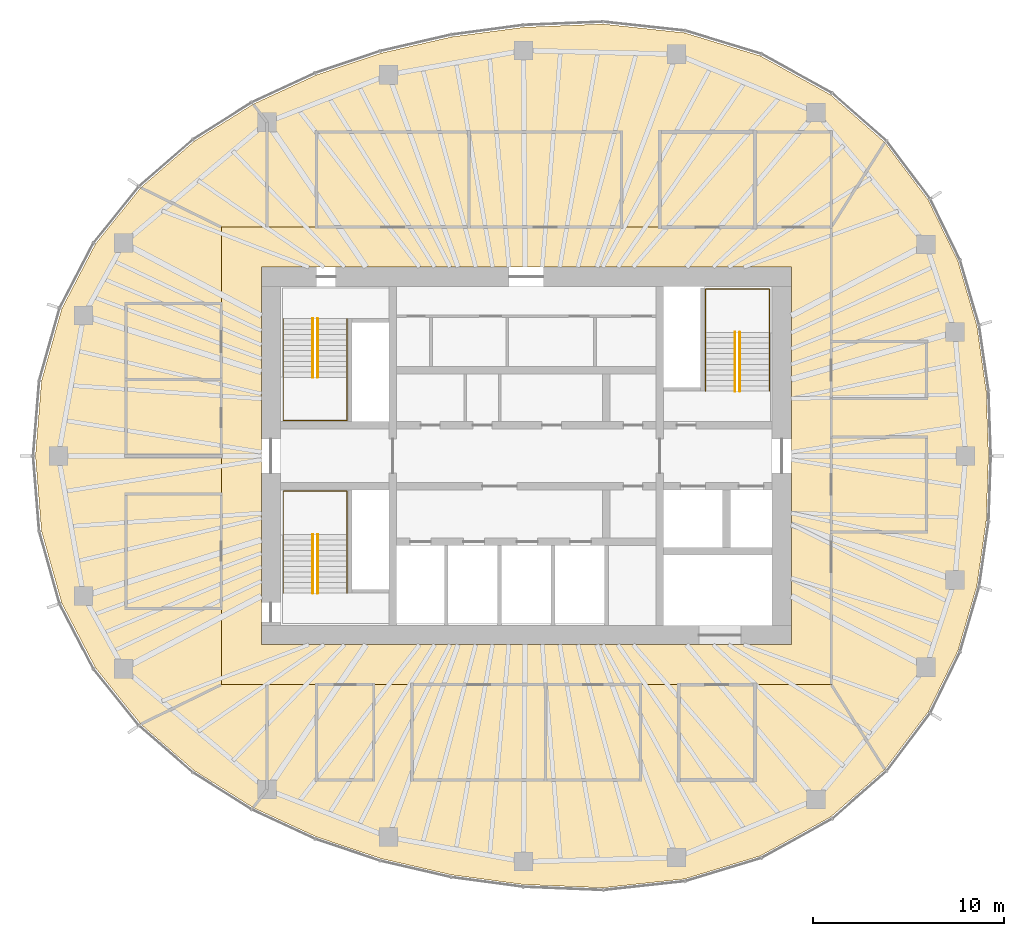
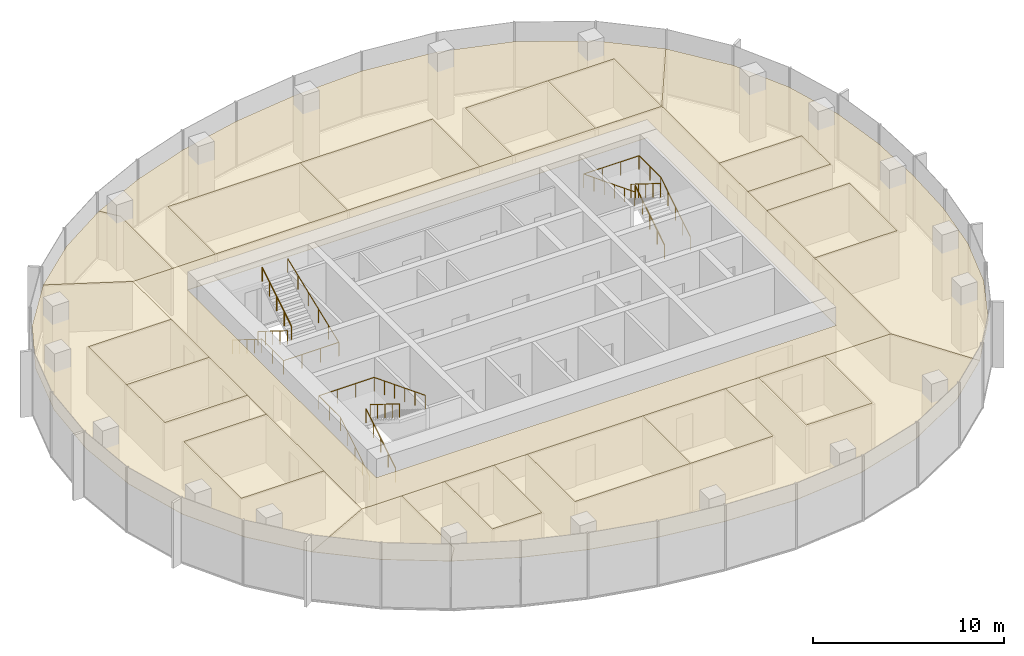
# One storey, part 12 of 12: 20 coverings, 9 railings.
"""IFC4 building model written with IfcOpenShell, lengths in metres."""

from ifc_helpers import new_model, si_unit, direction, frame, origin, origin_2d, place, context, subcontext, project, spatial, polyline, circle, outline, extrude, material, layer, layer_set, type_object, element, save


model = new_model("IFC4")

# Units and contexts
model_context = context("Model", 3, precision=1e-05, world=origin(), true_north=direction((0.0, 1.0)))
body_context = subcontext(model_context, "Body", "Model", "MODEL_VIEW")
ifc_project = project(units=[si_unit("LENGTHUNIT", "METRE"), si_unit("AREAUNIT", "SQUARE_METRE"), si_unit("VOLUMEUNIT", "CUBIC_METRE"), si_unit("PLANEANGLEUNIT", "RADIAN"), si_unit("MASSUNIT", "GRAM", prefix="KILO")], contexts=[model_context])

# Site, building, storey
site_placement = place(None, origin())
site = spatial("IfcSite", under=ifc_project, at=site_placement, CompositionType="ELEMENT")
building_placement = place(site_placement, origin())
building = spatial("IfcBuilding", under=site, at=building_placement, Name="Ghaith Harvest Tower", CompositionType="ELEMENT")
storey_placement = place(building_placement, frame((0.0, 0.0, 304.800048828125)))
storey = spatial("IfcBuildingStorey", under=building, at=storey_placement, Name="L68", CompositionType="ELEMENT", Elevation=304.800048828125)

# Coverings
ifc_material_1 = material(Name="Mineral fibre ceiling tile", Category="gypsum")
ifc_layer = layer(ifc_material_1, 0.02490234375)
ifc_layer_set = layer_set([ifc_layer], Name="CEILING C2")
covering_type = type_object("IfcCoveringType", Name="CEILING C2", PredefinedType="CEILING", material=ifc_layer_set)
covering_1_placement = place(storey_placement, frame((0.0, 0.0, 3.0)))
element("IfcCovering", 1, at=covering_1_placement, inside=storey, type_object=covering_type, Name="Ceiling L68-01", PredefinedType="CEILING", context=body_context, shape_type="SweptSolid", body=[
    extrude(outline(polyline([(-11.0, 12.0), (-3.0, 12.0), (-3.0, 17.0), (-11.0, 17.0), (-11.0, 12.0)])), origin(), (0.0, 0.0, 1.0), 0.02490234375),
])
covering_2_placement = place(storey_placement, frame((0.0, 0.0, 3.0)))
element("IfcCovering", 2, at=covering_2_placement, inside=storey, type_object=covering_type, Name="Ceiling L68-02", PredefinedType="CEILING", context=body_context, shape_type="SweptSolid", body=[
    extrude(outline(polyline([(-3.0, 12.0), (5.0, 12.0), (5.0, 17.0), (-3.0, 17.0), (-3.0, 12.0)])), origin(), (0.0, 0.0, 1.0), 0.02490234375),
])
covering_3_placement = place(storey_placement, frame((0.0, 0.0, 3.0)))
element("IfcCovering", 3, at=covering_3_placement, inside=storey, type_object=covering_type, Name="Ceiling L68-03", PredefinedType="CEILING", context=body_context, shape_type="SweptSolid", body=[
    extrude(outline(polyline([(7.0, 12.0), (12.0, 12.0), (12.0, 17.0), (7.0, 17.0), (7.0, 12.0)])), origin(), (0.0, 0.0, 1.0), 0.02490234375),
])
covering_4_placement = place(storey_placement, frame((0.0, 0.0, 3.0)))
element("IfcCovering", 4, at=covering_4_placement, inside=storey, type_object=covering_type, Name="Ceiling L68-04", PredefinedType="CEILING", context=body_context, shape_type="SweptSolid", body=[
    extrude(outline(polyline([(12.0, 12.0), (16.0, 12.0), (16.0, 17.0), (12.0, 17.0), (12.0, 12.0)])), origin(), (0.0, 0.0, 1.0), 0.02490234375),
])
covering_5_placement = place(storey_placement, frame((0.0, 0.0, 3.0)))
element("IfcCovering", 5, at=covering_5_placement, inside=storey, type_object=covering_type, Name="Ceiling L68-05", PredefinedType="CEILING", context=body_context, shape_type="SweptSolid", body=[
    extrude(outline(polyline([(-6.0, -17.0), (1.0, -17.0), (1.0, -12.0), (-6.0, -12.0), (-6.0, -17.0)])), origin(), (0.0, 0.0, 1.0), 0.02490234375),
])
covering_6_placement = place(storey_placement, frame((0.0, 0.0, 3.0)))
element("IfcCovering", 6, at=covering_6_placement, inside=storey, type_object=covering_type, Name="Ceiling L68-06", PredefinedType="CEILING", context=body_context, shape_type="SweptSolid", body=[
    extrude(outline(polyline([(1.0, -17.0), (6.0, -17.0), (6.0, -12.0), (1.0, -12.0), (1.0, -17.0)])), origin(), (0.0, 0.0, 1.0), 0.02490234375),
])
covering_7_placement = place(storey_placement, frame((0.0, 0.0, 3.0)))
element("IfcCovering", 7, at=covering_7_placement, inside=storey, type_object=covering_type, Name="Ceiling L68-07", PredefinedType="CEILING", context=body_context, shape_type="SweptSolid", body=[
    extrude(outline(polyline([(8.0, -17.0), (12.0, -17.0), (12.0, -12.0), (8.0, -12.0), (8.0, -17.0)])), origin(), (0.0, 0.0, 1.0), 0.02490234375),
])
covering_8_placement = place(storey_placement, frame((0.0, 0.0, 3.0)))
element("IfcCovering", 8, at=covering_8_placement, inside=storey, type_object=covering_type, Name="Ceiling L68-08", PredefinedType="CEILING", context=body_context, shape_type="SweptSolid", body=[
    extrude(outline(polyline([(-21.0, -8.0), (-16.0, -8.0), (-16.0, -2.0), (-21.0, -2.0), (-21.0, -8.0)])), origin(), (0.0, 0.0, 1.0), 0.02490234375),
])
covering_9_placement = place(storey_placement, frame((0.0, 0.0, 3.0)))
element("IfcCovering", 9, at=covering_9_placement, inside=storey, type_object=covering_type, Name="Ceiling L68-09", PredefinedType="CEILING", context=body_context, shape_type="SweptSolid", body=[
    extrude(outline(polyline([(16.0, -4.0), (21.0, -4.0), (21.0, 1.0), (16.0, 1.0), (16.0, -4.0)])), origin(), (0.0, 0.0, 1.0), 0.02490234375),
])
covering_10_placement = place(storey_placement, frame((0.0, 0.0, 3.0)))
element("IfcCovering", 10, at=covering_10_placement, inside=storey, type_object=covering_type, Name="Ceiling L68-10", PredefinedType="CEILING", context=body_context, shape_type="SweptSolid", body=[
    extrude(outline(polyline([(-11.0, -17.0), (-8.0, -17.0), (-8.0, -12.0), (-11.0, -12.0), (-11.0, -17.0)])), origin(), (0.0, 0.0, 1.0), 0.02490234375),
])
covering_11_placement = place(storey_placement, frame((0.0, 0.0, 3.0)))
element("IfcCovering", 11, at=covering_11_placement, inside=storey, type_object=covering_type, Name="Ceiling L68-11", PredefinedType="CEILING", context=body_context, shape_type="SweptSolid", body=[
    extrude(outline(polyline([(16.0, 3.0), (21.0, 3.0), (21.0, 6.0), (16.0, 6.0), (16.0, 3.0)])), origin(), (0.0, 0.0, 1.0), 0.02490234375),
])
covering_12_placement = place(storey_placement, frame((0.0, 0.0, 3.0)))
element("IfcCovering", 12, at=covering_12_placement, inside=storey, type_object=covering_type, Name="Ceiling L68-12", PredefinedType="CEILING", context=body_context, shape_type="SweptSolid", body=[
    extrude(outline(polyline([(-21.0, 0.0), (-16.0, 0.0), (-16.0, 4.0), (-21.0, 4.0), (-21.0, 0.0)])), origin(), (0.0, 0.0, 1.0), 0.02490234375),
])
covering_13_placement = place(storey_placement, frame((0.0, 0.0, 3.0)))
element("IfcCovering", 13, at=covering_13_placement, inside=storey, type_object=covering_type, Name="Ceiling L68-13", PredefinedType="CEILING", context=body_context, shape_type="SweptSolid", body=[
    extrude(outline(polyline([(-21.0, 4.0), (-16.0, 4.0), (-16.0, 8.0), (-21.0, 8.0), (-21.0, 4.0)])), origin(), (0.0, 0.0, 1.0), 0.02490234375),
])
covering_14_placement = place(storey_placement, frame((0.0, 0.0, 3.0)))
element("IfcCovering", 14, at=covering_14_placement, inside=storey, type_object=covering_type, Name="Ceiling L68-C1", PredefinedType="CEILING", context=body_context, shape_type="SweptSolid", body=[
    extrude(outline(polyline([(-16.0, 12.0), (16.0, 12.0), (16.0, -12.0), (-16.0, -12.0), (-16.0, 12.0)]), holes=[polyline([(-13.89990234375, 9.89990234375), (-13.89990234375, -9.89990234375), (13.89990234375, -9.89990234375), (13.89990234375, 9.89990234375), (-13.89990234375, 9.89990234375)])]), origin(), (0.0, 0.0, 1.0), 0.02490234375),
])
covering_15_placement = place(storey_placement, frame((0.0, 0.0, 3.0)))
element("IfcCovering", 15, at=covering_15_placement, inside=storey, type_object=covering_type, Name="Ceiling L68-N1", PredefinedType="CEILING", context=body_context, shape_type="SweptSolid", body=[
    extrude(outline(polyline([(-17.40771484375, 16.518310546875), (-14.331298828125, 18.452880859375), (-13.594970703125, 17.5048828125), (-13.594970703125, 12.0), (-16.0, 12.0), (-20.225830078125, 14.0732421875), (-17.40771484375, 16.518310546875)])), origin(), (0.0, 0.0, 1.0), 0.02490234375),
])
covering_16_placement = place(storey_placement, frame((0.0, 0.0, 3.0)))
element("IfcCovering", 16, at=covering_16_placement, inside=storey, type_object=covering_type, Name="Ceiling L68-N2", PredefinedType="CEILING", context=body_context, shape_type="SweptSolid", body=[
    extrude(outline(polyline([(-14.331298828125, 18.452880859375), (-14.331298828125, 18.452880859375), (-11.009521484375, 19.98779296875), (-7.6298828125, 21.12548828125), (-3.92529296875, 21.98046875), (-0.15380859375, 22.486083984375), (4.016845703125, 22.658447265625), (8.2978515625, 22.1962890625), (12.273681640625, 20.98828125), (15.971923828125, 18.940185546875), (18.810791015625, 16.4482421875), (16.0, 12.0), (16.0, 17.0), (7.0, 17.0), (7.0, 12.0), (5.0, 12.0), (5.0, 17.0), (-11.0, 17.0), (-11.0, 12.0), (-13.594970703125, 12.0), (-13.594970703125, 17.5048828125), (-14.331298828125, 18.452880859375)])), origin(), (0.0, 0.0, 1.0), 0.02490234375),
])
covering_17_placement = place(storey_placement, frame((0.0, 0.0, 3.0)))
element("IfcCovering", 17, at=covering_17_placement, inside=storey, type_object=covering_type, Name="Ceiling L68-E1", PredefinedType="CEILING", context=body_context, shape_type="SweptSolid", body=[
    extrude(outline(polyline([(21.087890625, 13.42041015625), (22.644775390625, 10.222900390625), (23.6376953125, 6.831787109375), (24.129150390625, 3.4169921875), (24.25, 0.0), (24.129150390625, -3.4169921875), (23.6376953125, -6.831787109375), (22.644775390625, -10.222900390625), (21.087890625, -13.42041015625), (18.810791015625, -16.4482421875), (16.0, -12.0), (16.0, -4.0), (21.0, -4.0), (21.0, 1.0), (16.0, 1.0), (16.0, 3.0), (21.0, 3.0), (21.0, 6.0), (16.0, 6.0), (16.0, 12.0), (18.810791015625, 16.4482421875), (21.087890625, 13.42041015625)])), origin(), (0.0, 0.0, 1.0), 0.02490234375),
])
covering_18_placement = place(storey_placement, frame((0.0, 0.0, 3.0)))
element("IfcCovering", 18, at=covering_18_placement, inside=storey, type_object=covering_type, Name="Ceiling L68-S1", PredefinedType="CEILING", context=body_context, shape_type="SweptSolid", body=[
    extrude(outline(polyline([(-20.225830078125, -14.0732421875), (-16.0, -12.0), (-13.594970703125, -12.0), (-13.594970703125, -17.5048828125), (-14.331298828125, -18.452880859375), (-17.40771484375, -16.518310546875), (-20.225830078125, -14.0732421875)])), origin(), (0.0, 0.0, 1.0), 0.02490234375),
])
covering_19_placement = place(storey_placement, frame((0.0, 0.0, 3.0)))
element("IfcCovering", 19, at=covering_19_placement, inside=storey, type_object=covering_type, Name="Ceiling L68-S2", PredefinedType="CEILING", context=body_context, shape_type="SweptSolid", body=[
    extrude(outline(polyline([(-13.594970703125, -12.0), (-11.0, -12.0), (-11.0, -17.0), (-8.0, -17.0), (-8.0, -12.0), (-6.0, -12.0), (-6.0, -17.0), (6.0, -17.0), (6.0, -12.0), (8.0, -12.0), (8.0, -17.0), (12.0, -17.0), (12.0, -12.0), (16.0, -12.0), (18.810791015625, -16.4482421875), (15.971923828125, -18.940185546875), (12.273681640625, -20.98828125), (8.2978515625, -22.1962890625), (4.016845703125, -22.658447265625), (-0.15380859375, -22.486083984375), (-3.92529296875, -21.98046875), (-7.6298828125, -21.12548828125), (-11.009521484375, -19.98779296875), (-14.331298828125, -18.452880859375), (-14.331298828125, -18.452880859375), (-13.594970703125, -17.5048828125), (-13.594970703125, -12.0)])), origin(), (0.0, 0.0, 1.0), 0.02490234375),
])
covering_20_placement = place(storey_placement, frame((0.0, 0.0, 3.0)))
element("IfcCovering", 20, at=covering_20_placement, inside=storey, type_object=covering_type, Name="Ceiling L68-W1", PredefinedType="CEILING", context=body_context, shape_type="SweptSolid", body=[
    extrude(outline(polyline([(-22.5986328125, -11.12353515625), (-24.368408203125, -7.722900390625), (-25.43310546875, -3.93359375), (-25.75, 0.0), (-25.43310546875, 3.93359375), (-24.368408203125, 7.722900390625), (-22.5986328125, 11.12353515625), (-20.225830078125, 14.0732421875), (-16.0, 12.0), (-16.0, 8.0), (-21.0, 8.0), (-21.0, 0.0), (-16.0, 0.0), (-16.0, -2.0), (-21.0, -2.0), (-21.0, -8.0), (-16.0, -8.0), (-16.0, -12.0), (-20.225830078125, -14.0732421875), (-22.5986328125, -11.12353515625)])), origin(), (0.0, 0.0, 1.0), 0.02490234375),
])

# Railings
ifc_material_2 = material(Name="Steel, black powder-coated", Category="steel")
railing_type = type_object("IfcRailingType", Name="HANDRAIL HR1", PredefinedType="HANDRAIL", material=ifc_material_2)
railing_1_placement = place(storey_placement, frame((-11.199951171875, 7.199951171875, 0.175048828125)))
element("IfcRailing", 21, at=railing_1_placement, inside=storey, type_object=railing_type, Name="Handrail HR1 stair ST1 L68 flight 1 inner", PredefinedType="HANDRAIL", context=body_context, shape_type="SweptSolid", body=[
    extrude(circle(Radius=0.02392578125, at=origin_2d()), frame((0.0, 0.0, 0.8759765625), z_axis=(0.0, -0.848009633417, 0.529980812513), x_axis=(1.0, 0.0, 0.0)), (0.0, 0.0, 1.0), 3.6318359375),
    extrude(circle(Radius=0.02099609375, at=origin_2d()), origin(), (0.0, 0.0, 1.0), 0.851806640625),
    extrude(circle(Radius=0.02099609375, at=origin_2d()), frame((0.0, -0.77001953125, 0.481201171875)), (0.0, 0.0, 1.0), 0.851806640625),
    extrude(circle(Radius=0.02099609375, at=origin_2d()), frame((0.0, -1.5400390625, 0.96240234375)), (0.0, 0.0, 1.0), 0.851806640625),
    extrude(circle(Radius=0.02099609375, at=origin_2d()), frame((0.0, -2.309814453125, 1.443603515625)), (0.0, 0.0, 1.0), 0.851806640625),
    extrude(circle(Radius=0.02099609375, at=origin_2d()), frame((0.0, -3.079833984375, 1.9248046875)), (0.0, 0.0, 1.0), 0.851806640625),
])
railing_2_placement = place(storey_placement, frame((-10.949951171875, 4.1201171875, 2.27490234375)))
element("IfcRailing", 22, at=railing_2_placement, inside=storey, type_object=railing_type, Name="Handrail HR1 stair ST1 L68 flight 2 inner", PredefinedType="HANDRAIL", context=body_context, shape_type="SweptSolid", body=[
    extrude(circle(Radius=0.02392578125, at=origin_2d()), frame((0.0, 0.0, 0.8759765625), z_axis=(0.0, 0.847979421464, 0.530029150871), x_axis=(-1.0, 0.0, 0.0)), (0.0, 0.0, 1.0), 3.632080078125),
    extrude(circle(Radius=0.02099609375, at=origin_2d()), origin(), (0.0, 0.0, 1.0), 0.851806640625),
    extrude(circle(Radius=0.02099609375, at=origin_2d()), frame((0.0, 0.77001953125, 0.481201171875)), (0.0, 0.0, 1.0), 0.851806640625),
    extrude(circle(Radius=0.02099609375, at=origin_2d()), frame((0.0, 1.5400390625, 0.96240234375)), (0.0, 0.0, 1.0), 0.851806640625),
    extrude(circle(Radius=0.02099609375, at=origin_2d()), frame((0.0, 2.309814453125, 1.44384765625)), (0.0, 0.0, 1.0), 0.851806640625),
    extrude(circle(Radius=0.02099609375, at=origin_2d()), frame((0.0, 3.079833984375, 1.925048828125)), (0.0, 0.0, 1.0), 0.851806640625),
])
railing_3_placement = place(storey_placement, frame((-12.75, 7.199951171875, 0.175048828125)))
element("IfcRailing", 23, at=railing_3_placement, inside=storey, type_object=railing_type, Name="Handrail HR1 stair ST1 L68 wall side", PredefinedType="HANDRAIL", context=body_context, shape_type="SweptSolid", body=[
    extrude(circle(Radius=0.02392578125, at=origin_2d()), frame((0.0, 0.0, 0.8759765625), z_axis=(0.0, -0.848009633417, 0.529980812513), x_axis=(1.0, 0.0, 0.0)), (0.0, 0.0, 1.0), 3.6318359375),
    extrude(circle(Radius=0.02392578125, at=origin_2d()), frame((0.0, -3.079833984375, 2.80078125), z_axis=(0.0, -1.0, 0.0), x_axis=(1.0, 0.0, 0.0)), (0.0, 0.0, 1.0), 2.27001953125),
    extrude(circle(Radius=0.02392578125, at=origin_2d()), frame((0.0, -5.349853515625, 2.80078125), z_axis=(1.0, 0.0, 0.0), x_axis=(0.0, 1.0, 0.0)), (0.0, 0.0, 1.0), 3.35009765625),
    extrude(circle(Radius=0.02392578125, at=origin_2d()), frame((3.35009765625, -5.349853515625, 2.80078125), z_axis=(0.0, 0.930848013298, 0.36540659017), x_axis=(-1.0, 0.0, 0.0)), (0.0, 0.0, 1.0), 5.747314453125),
    extrude(circle(Radius=0.02099609375, at=origin_2d()), origin(), (0.0, 0.0, 1.0), 0.851806640625),
    extrude(circle(Radius=0.02099609375, at=origin_2d()), frame((0.0, -0.77001953125, 0.481201171875)), (0.0, 0.0, 1.0), 0.851806640625),
    extrude(circle(Radius=0.02099609375, at=origin_2d()), frame((0.0, -1.5400390625, 0.96240234375)), (0.0, 0.0, 1.0), 0.851806640625),
    extrude(circle(Radius=0.02099609375, at=origin_2d()), frame((0.0, -2.309814453125, 1.443603515625)), (0.0, 0.0, 1.0), 0.851806640625),
    extrude(circle(Radius=0.02099609375, at=origin_2d()), frame((0.0, -3.079833984375, 1.9248046875)), (0.0, 0.0, 1.0), 0.851806640625),
    extrude(circle(Radius=0.02099609375, at=origin_2d()), frame((0.0, -4.21484375, 1.9248046875)), (0.0, 0.0, 1.0), 0.851806640625),
    extrude(circle(Radius=0.02099609375, at=origin_2d()), frame((0.0, -5.349853515625, 1.9248046875)), (0.0, 0.0, 1.0), 0.851806640625),
    extrude(circle(Radius=0.02099609375, at=origin_2d()), frame((1.11669921875, -5.349853515625, 1.9248046875)), (0.0, 0.0, 1.0), 0.851806640625),
    extrude(circle(Radius=0.02099609375, at=origin_2d()), frame((2.2333984375, -5.349853515625, 1.9248046875)), (0.0, 0.0, 1.0), 0.851806640625),
    extrude(circle(Radius=0.02099609375, at=origin_2d()), frame((3.35009765625, -5.349853515625, 1.9248046875)), (0.0, 0.0, 1.0), 0.851806640625),
    extrude(circle(Radius=0.02099609375, at=origin_2d()), frame((3.35009765625, -4.27978515625, 2.3447265625)), (0.0, 0.0, 1.0), 0.851806640625),
    extrude(circle(Radius=0.02099609375, at=origin_2d()), frame((3.35009765625, -3.2099609375, 2.764892578125)), (0.0, 0.0, 1.0), 0.851806640625),
    extrude(circle(Radius=0.02099609375, at=origin_2d()), frame((3.35009765625, -2.139892578125, 3.184814453125)), (0.0, 0.0, 1.0), 0.851806640625),
    extrude(circle(Radius=0.02099609375, at=origin_2d()), frame((3.35009765625, -1.070068359375, 3.60498046875)), (0.0, 0.0, 1.0), 0.851806640625),
    extrude(circle(Radius=0.02099609375, at=origin_2d()), frame((3.35009765625, 0.0, 4.02490234375)), (0.0, 0.0, 1.0), 0.851806640625),
])
railing_4_placement = place(storey_placement, frame((-11.199951171875, -7.199951171875, 0.175048828125)))
element("IfcRailing", 24, at=railing_4_placement, inside=storey, type_object=railing_type, Name="Handrail HR1 stair ST3 L68 flight 1 inner", PredefinedType="HANDRAIL", context=body_context, shape_type="SweptSolid", body=[
    extrude(circle(Radius=0.02392578125, at=origin_2d()), frame((0.0, 0.0, 0.8759765625), z_axis=(0.0, 0.848009633417, 0.529980812513), x_axis=(-1.0, 0.0, 0.0)), (0.0, 0.0, 1.0), 3.6318359375),
    extrude(circle(Radius=0.02099609375, at=origin_2d()), origin(), (0.0, 0.0, 1.0), 0.851806640625),
    extrude(circle(Radius=0.02099609375, at=origin_2d()), frame((0.0, 0.77001953125, 0.481201171875)), (0.0, 0.0, 1.0), 0.851806640625),
    extrude(circle(Radius=0.02099609375, at=origin_2d()), frame((0.0, 1.5400390625, 0.96240234375)), (0.0, 0.0, 1.0), 0.851806640625),
    extrude(circle(Radius=0.02099609375, at=origin_2d()), frame((0.0, 2.309814453125, 1.443603515625)), (0.0, 0.0, 1.0), 0.851806640625),
    extrude(circle(Radius=0.02099609375, at=origin_2d()), frame((0.0, 3.079833984375, 1.9248046875)), (0.0, 0.0, 1.0), 0.851806640625),
])
railing_5_placement = place(storey_placement, frame((-10.949951171875, -4.1201171875, 2.27490234375)))
element("IfcRailing", 25, at=railing_5_placement, inside=storey, type_object=railing_type, Name="Handrail HR1 stair ST3 L68 flight 2 inner", PredefinedType="HANDRAIL", context=body_context, shape_type="SweptSolid", body=[
    extrude(circle(Radius=0.02392578125, at=origin_2d()), frame((0.0, 0.0, 0.8759765625), z_axis=(0.0, -0.847979421464, 0.530029150871), x_axis=(1.0, 0.0, 0.0)), (0.0, 0.0, 1.0), 3.632080078125),
    extrude(circle(Radius=0.02099609375, at=origin_2d()), origin(), (0.0, 0.0, 1.0), 0.851806640625),
    extrude(circle(Radius=0.02099609375, at=origin_2d()), frame((0.0, -0.77001953125, 0.481201171875)), (0.0, 0.0, 1.0), 0.851806640625),
    extrude(circle(Radius=0.02099609375, at=origin_2d()), frame((0.0, -1.5400390625, 0.96240234375)), (0.0, 0.0, 1.0), 0.851806640625),
    extrude(circle(Radius=0.02099609375, at=origin_2d()), frame((0.0, -2.309814453125, 1.44384765625)), (0.0, 0.0, 1.0), 0.851806640625),
    extrude(circle(Radius=0.02099609375, at=origin_2d()), frame((0.0, -3.079833984375, 1.925048828125)), (0.0, 0.0, 1.0), 0.851806640625),
])
railing_6_placement = place(storey_placement, frame((-12.75, -7.199951171875, 0.175048828125)))
element("IfcRailing", 26, at=railing_6_placement, inside=storey, type_object=railing_type, Name="Handrail HR1 stair ST3 L68 wall side", PredefinedType="HANDRAIL", context=body_context, shape_type="SweptSolid", body=[
    extrude(circle(Radius=0.02392578125, at=origin_2d()), frame((0.0, 0.0, 0.8759765625), z_axis=(0.0, 0.848009633417, 0.529980812513), x_axis=(-1.0, 0.0, 0.0)), (0.0, 0.0, 1.0), 3.6318359375),
    extrude(circle(Radius=0.02392578125, at=origin_2d()), frame((0.0, 3.079833984375, 2.80078125), z_axis=(0.0, 1.0, 0.0), x_axis=(-1.0, 0.0, 0.0)), (0.0, 0.0, 1.0), 2.27001953125),
    extrude(circle(Radius=0.02392578125, at=origin_2d()), frame((0.0, 5.349853515625, 2.80078125), z_axis=(1.0, 0.0, 0.0), x_axis=(0.0, 1.0, 0.0)), (0.0, 0.0, 1.0), 3.35009765625),
    extrude(circle(Radius=0.02392578125, at=origin_2d()), frame((3.35009765625, 5.349853515625, 2.80078125), z_axis=(0.0, -0.930848013298, 0.36540659017), x_axis=(1.0, 0.0, 0.0)), (0.0, 0.0, 1.0), 5.747314453125),
    extrude(circle(Radius=0.02099609375, at=origin_2d()), origin(), (0.0, 0.0, 1.0), 0.851806640625),
    extrude(circle(Radius=0.02099609375, at=origin_2d()), frame((0.0, 0.77001953125, 0.481201171875)), (0.0, 0.0, 1.0), 0.851806640625),
    extrude(circle(Radius=0.02099609375, at=origin_2d()), frame((0.0, 1.5400390625, 0.96240234375)), (0.0, 0.0, 1.0), 0.851806640625),
    extrude(circle(Radius=0.02099609375, at=origin_2d()), frame((0.0, 2.309814453125, 1.443603515625)), (0.0, 0.0, 1.0), 0.851806640625),
    extrude(circle(Radius=0.02099609375, at=origin_2d()), frame((0.0, 3.079833984375, 1.9248046875)), (0.0, 0.0, 1.0), 0.851806640625),
    extrude(circle(Radius=0.02099609375, at=origin_2d()), frame((0.0, 4.21484375, 1.9248046875)), (0.0, 0.0, 1.0), 0.851806640625),
    extrude(circle(Radius=0.02099609375, at=origin_2d()), frame((0.0, 5.349853515625, 1.9248046875)), (0.0, 0.0, 1.0), 0.851806640625),
    extrude(circle(Radius=0.02099609375, at=origin_2d()), frame((1.11669921875, 5.349853515625, 1.9248046875)), (0.0, 0.0, 1.0), 0.851806640625),
    extrude(circle(Radius=0.02099609375, at=origin_2d()), frame((2.2333984375, 5.349853515625, 1.9248046875)), (0.0, 0.0, 1.0), 0.851806640625),
    extrude(circle(Radius=0.02099609375, at=origin_2d()), frame((3.35009765625, 5.349853515625, 1.9248046875)), (0.0, 0.0, 1.0), 0.851806640625),
    extrude(circle(Radius=0.02099609375, at=origin_2d()), frame((3.35009765625, 4.27978515625, 2.3447265625)), (0.0, 0.0, 1.0), 0.851806640625),
    extrude(circle(Radius=0.02099609375, at=origin_2d()), frame((3.35009765625, 3.2099609375, 2.764892578125)), (0.0, 0.0, 1.0), 0.851806640625),
    extrude(circle(Radius=0.02099609375, at=origin_2d()), frame((3.35009765625, 2.139892578125, 3.184814453125)), (0.0, 0.0, 1.0), 0.851806640625),
    extrude(circle(Radius=0.02099609375, at=origin_2d()), frame((3.35009765625, 1.070068359375, 3.60498046875)), (0.0, 0.0, 1.0), 0.851806640625),
    extrude(circle(Radius=0.02099609375, at=origin_2d()), frame((3.35009765625, 0.0, 4.02490234375)), (0.0, 0.0, 1.0), 0.851806640625),
])
railing_7_placement = place(storey_placement, frame((11.199951171875, 3.39990234375, 0.175048828125)))
element("IfcRailing", 27, at=railing_7_placement, inside=storey, type_object=railing_type, Name="Handrail HR1 stair ST2 L68 flight 1 inner", PredefinedType="HANDRAIL", context=body_context, shape_type="SweptSolid", body=[
    extrude(circle(Radius=0.02392578125, at=origin_2d()), frame((0.0, 0.0, 0.8759765625), z_axis=(0.0, 0.848028513186, 0.529950602248), x_axis=(-1.0, 0.0, 0.0)), (0.0, 0.0, 1.0), 3.632080078125),
    extrude(circle(Radius=0.02099609375, at=origin_2d()), origin(), (0.0, 0.0, 1.0), 0.851806640625),
    extrude(circle(Radius=0.02099609375, at=origin_2d()), frame((0.0, 0.77001953125, 0.481201171875)), (0.0, 0.0, 1.0), 0.851806640625),
    extrude(circle(Radius=0.02099609375, at=origin_2d()), frame((0.0, 1.5400390625, 0.96240234375)), (0.0, 0.0, 1.0), 0.851806640625),
    extrude(circle(Radius=0.02099609375, at=origin_2d()), frame((0.0, 2.31005859375, 1.443603515625)), (0.0, 0.0, 1.0), 0.851806640625),
    extrude(circle(Radius=0.02099609375, at=origin_2d()), frame((0.0, 3.080078125, 1.9248046875)), (0.0, 0.0, 1.0), 0.851806640625),
])
railing_8_placement = place(storey_placement, frame((10.949951171875, 6.47998046875, 2.27490234375)))
element("IfcRailing", 28, at=railing_8_placement, inside=storey, type_object=railing_type, Name="Handrail HR1 stair ST2 L68 flight 2 inner", PredefinedType="HANDRAIL", context=body_context, shape_type="SweptSolid", body=[
    extrude(circle(Radius=0.02392578125, at=origin_2d()), frame((0.0, 0.0, 0.8759765625), z_axis=(0.0, -0.847998304005, 0.529998940003), x_axis=(1.0, 0.0, 0.0)), (0.0, 0.0, 1.0), 3.632080078125),
    extrude(circle(Radius=0.02099609375, at=origin_2d()), origin(), (0.0, 0.0, 1.0), 0.851806640625),
    extrude(circle(Radius=0.02099609375, at=origin_2d()), frame((0.0, -0.77001953125, 0.481201171875)), (0.0, 0.0, 1.0), 0.851806640625),
    extrude(circle(Radius=0.02099609375, at=origin_2d()), frame((0.0, -1.5400390625, 0.96240234375)), (0.0, 0.0, 1.0), 0.851806640625),
    extrude(circle(Radius=0.02099609375, at=origin_2d()), frame((0.0, -2.31005859375, 1.44384765625)), (0.0, 0.0, 1.0), 0.851806640625),
    extrude(circle(Radius=0.02099609375, at=origin_2d()), frame((0.0, -3.080078125, 1.925048828125)), (0.0, 0.0, 1.0), 0.851806640625),
])
railing_9_placement = place(storey_placement, frame((12.75, 3.39990234375, 0.175048828125)))
element("IfcRailing", 29, at=railing_9_placement, inside=storey, type_object=railing_type, Name="Handrail HR1 stair ST2 L68 wall side", PredefinedType="HANDRAIL", context=body_context, shape_type="SweptSolid", body=[
    extrude(circle(Radius=0.02392578125, at=origin_2d()), frame((0.0, 0.0, 0.8759765625), z_axis=(0.0, 0.848028513186, 0.529950602248), x_axis=(-1.0, 0.0, 0.0)), (0.0, 0.0, 1.0), 3.632080078125),
    extrude(circle(Radius=0.02392578125, at=origin_2d()), frame((0.0, 3.080078125, 2.80078125), z_axis=(0.0, 1.0, 0.0), x_axis=(-1.0, 0.0, 0.0)), (0.0, 0.0, 1.0), 2.27001953125),
    extrude(circle(Radius=0.02392578125, at=origin_2d()), frame((0.0, 5.35009765625, 2.80078125), z_axis=(-1.0, 0.0, 0.0), x_axis=(0.0, -1.0, 0.0)), (0.0, 0.0, 1.0), 3.35009765625),
    extrude(circle(Radius=0.02392578125, at=origin_2d()), frame((-3.35009765625, 5.35009765625, 2.80078125), z_axis=(0.0, -0.930853684876, 0.365392141887), x_axis=(1.0, 0.0, 0.0)), (0.0, 0.0, 1.0), 5.74755859375),
    extrude(circle(Radius=0.02099609375, at=origin_2d()), origin(), (0.0, 0.0, 1.0), 0.851806640625),
    extrude(circle(Radius=0.02099609375, at=origin_2d()), frame((0.0, 0.77001953125, 0.481201171875)), (0.0, 0.0, 1.0), 0.851806640625),
    extrude(circle(Radius=0.02099609375, at=origin_2d()), frame((0.0, 1.5400390625, 0.96240234375)), (0.0, 0.0, 1.0), 0.851806640625),
    extrude(circle(Radius=0.02099609375, at=origin_2d()), frame((0.0, 2.31005859375, 1.443603515625)), (0.0, 0.0, 1.0), 0.851806640625),
    extrude(circle(Radius=0.02099609375, at=origin_2d()), frame((0.0, 3.080078125, 1.9248046875)), (0.0, 0.0, 1.0), 0.851806640625),
    extrude(circle(Radius=0.02099609375, at=origin_2d()), frame((0.0, 4.215087890625, 1.9248046875)), (0.0, 0.0, 1.0), 0.851806640625),
    extrude(circle(Radius=0.02099609375, at=origin_2d()), frame((0.0, 5.35009765625, 1.9248046875)), (0.0, 0.0, 1.0), 0.851806640625),
    extrude(circle(Radius=0.02099609375, at=origin_2d()), frame((-1.11669921875, 5.35009765625, 1.9248046875)), (0.0, 0.0, 1.0), 0.851806640625),
    extrude(circle(Radius=0.02099609375, at=origin_2d()), frame((-2.2333984375, 5.35009765625, 1.9248046875)), (0.0, 0.0, 1.0), 0.851806640625),
    extrude(circle(Radius=0.02099609375, at=origin_2d()), frame((-3.35009765625, 5.35009765625, 1.9248046875)), (0.0, 0.0, 1.0), 0.851806640625),
    extrude(circle(Radius=0.02099609375, at=origin_2d()), frame((-3.35009765625, 4.280029296875, 2.3447265625)), (0.0, 0.0, 1.0), 0.851806640625),
    extrude(circle(Radius=0.02099609375, at=origin_2d()), frame((-3.35009765625, 3.2099609375, 2.764892578125)), (0.0, 0.0, 1.0), 0.851806640625),
    extrude(circle(Radius=0.02099609375, at=origin_2d()), frame((-3.35009765625, 2.14013671875, 3.184814453125)), (0.0, 0.0, 1.0), 0.851806640625),
    extrude(circle(Radius=0.02099609375, at=origin_2d()), frame((-3.35009765625, 1.070068359375, 3.60498046875)), (0.0, 0.0, 1.0), 0.851806640625),
    extrude(circle(Radius=0.02099609375, at=origin_2d()), frame((-3.35009765625, 0.0, 4.02490234375)), (0.0, 0.0, 1.0), 0.851806640625),
])

save(model, "model.ifc")
